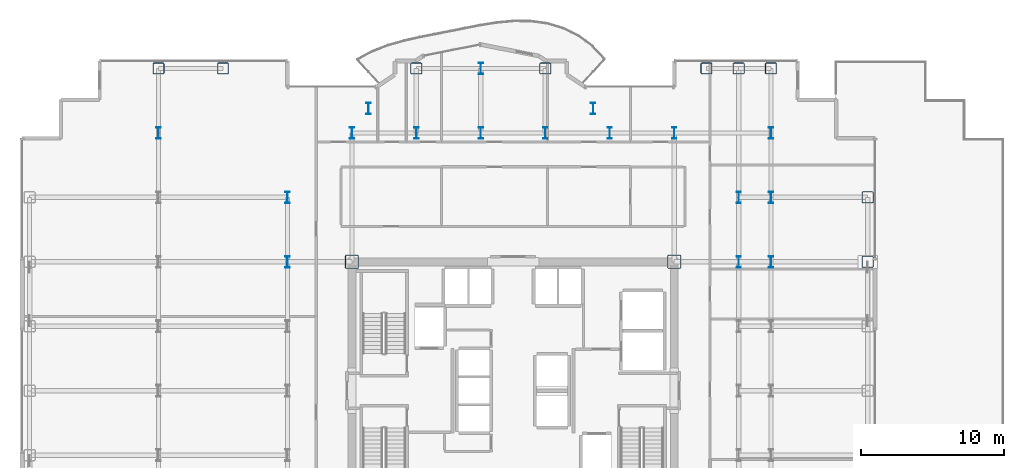
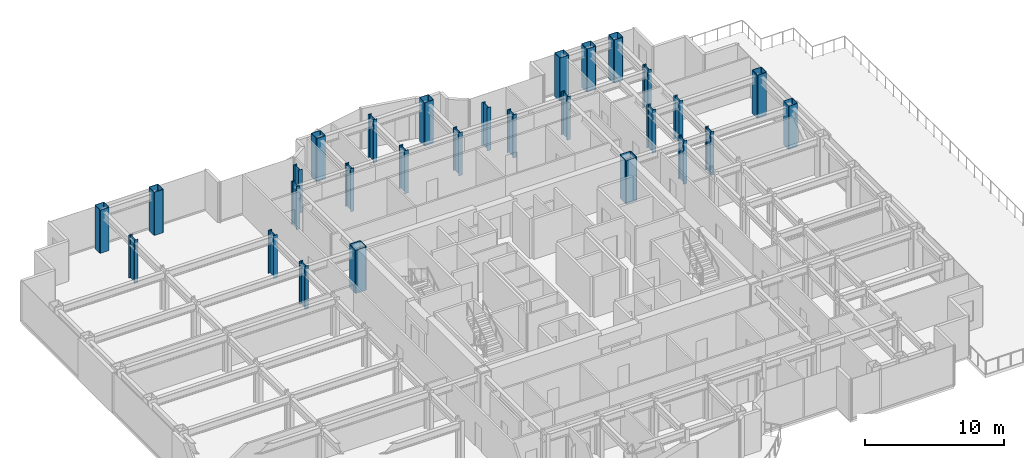
# One storey, part 2 of 27: 28 columns.
"""IFC4 building model written with IfcOpenShell, lengths in metres."""

from ifc_helpers import new_model, si_unit, direction, frame, origin, origin_2d, place, context, subcontext, project, spatial, hollow_rectangle, i_section, extrude, source, transform, mapped, material, material_profile, profile_set, type_object, element, save


model = new_model("IFC4")

# Units and contexts
model_context = context("Model", 3, precision=1e-05, world=origin(), true_north=direction((0.0, 1.0)))
body_context = subcontext(model_context, "Body", "Model", "MODEL_VIEW")
ifc_project = project(units=[si_unit("LENGTHUNIT", "METRE"), si_unit("AREAUNIT", "SQUARE_METRE"), si_unit("VOLUMEUNIT", "CUBIC_METRE"), si_unit("PLANEANGLEUNIT", "RADIAN"), si_unit("MASSUNIT", "GRAM", prefix="KILO")], contexts=[model_context])

# Site, building, storey
site_placement = place(None, origin())
site = spatial("IfcSite", under=ifc_project, at=site_placement, CompositionType="ELEMENT")
building_placement = place(site_placement, origin())
building = spatial("IfcBuilding", under=site, at=building_placement, Name="Nefas-Gora Pilgrimage Tower", CompositionType="ELEMENT")
storey_placement = place(building_placement, frame((0.0, 0.0, 148.800048828125)))
storey = spatial("IfcBuildingStorey", under=building, at=storey_placement, Name="L36", CompositionType="ELEMENT", Elevation=148.800048828125)

# Columns
ifc_material = material(Name="Steel S460", Category="steel")
ifc_material_profile_1 = material_profile(ifc_material, hollow_rectangle(XDim=0.949951171875, YDim=0.949951171875, WallThickness=0.044921875, InnerFilletRadius=0.044921875, OuterFilletRadius=0.090087890625, at=origin_2d()), Name="BOX 950x950x45")
ifc_profile_set_1 = profile_set([ifc_material_profile_1], Name="Steel S460")
column_type_1 = type_object("IfcColumnType", Name="COL-CORE-950", PredefinedType="COLUMN", material=ifc_profile_set_1)
shared_shape_1 = source(origin(), body_context, "Body", "SweptSolid", [
    extrude(hollow_rectangle(XDim=0.949951171875, YDim=0.949951171875, WallThickness=0.044921875, InnerFilletRadius=0.044921875, OuterFilletRadius=0.090087890625, at=origin_2d()), origin(), (0.0, 0.0, 1.0), 3.800048828125),
])
for number, where, z_axis, x_axis, name in (
    (1, (-11.25, 9.0, 0.0), (0.0, 0.0, 1.0), (1.0, 0.0, 0.0), "L36 Tower Column CC-Z1.30"),
    (2, (11.25, 9.0, 0.0), (0.0, 0.0, 1.0), (1.0, 0.0, 0.0), "L36 Tower Column CC-Z1.52"),
):
    element("IfcColumn", number, at=place(storey_placement, frame(where, z_axis=z_axis, x_axis=x_axis)), inside=storey, type_object=column_type_1, Name=name, PredefinedType="COLUMN", context=body_context, shape_type="MappedRepresentation", body=[
        mapped(shared_shape_1, transform((0.0, 0.0, 0.0), x_axis=(1.0, 0.0, 0.0), y_axis=(0.0, 1.0, 0.0), z_axis=(0.0, 0.0, 1.0), scale=1.0)),
    ])
ifc_material_profile_2 = material_profile(ifc_material, hollow_rectangle(XDim=0.800048828125, YDim=0.800048828125, WallThickness=0.0400390625, InnerFilletRadius=0.0400390625, OuterFilletRadius=0.080078125, at=origin_2d()), Name="BOX 800x800x40")
ifc_profile_set_2 = profile_set([ifc_material_profile_2], Name="Steel S460")
column_type_2 = type_object("IfcColumnType", Name="COL-TUBE-800", PredefinedType="COLUMN", material=ifc_profile_set_2)
shared_shape_2 = source(origin(), body_context, "Body", "SweptSolid", [
    extrude(hollow_rectangle(XDim=0.800048828125, YDim=0.800048828125, WallThickness=0.0400390625, InnerFilletRadius=0.0400390625, OuterFilletRadius=0.080078125, at=origin_2d()), origin(), (0.0, 0.0, 1.0), 3.800048828125),
])
for number, where, z_axis, x_axis, name in (
    (3, (-24.75, 22.5, 0.0), (0.0, 0.0, 1.0), (1.0, 0.0, 0.0), "L36 Tower Column C-Z2.18"),
    (4, (-20.25, 22.5, 0.0), (0.0, 0.0, 1.0), (1.0, 0.0, 0.0), "L36 Tower Column C-Z2.20"),
    (5, (-6.75, 22.5, 0.0), (0.0, 0.0, 1.0), (1.0, 0.0, 0.0), "L36 Tower Column C-Z2.37"),
    (6, (2.25, 22.5, 0.0), (0.0, 0.0, 1.0), (1.0, 0.0, 0.0), "L36 Tower Column C-Z2.45"),
    (7, (13.5, 22.5, 0.0), (0.0, 0.0, 1.0), (1.0, 0.0, 0.0), "L36 Tower Column C-Z2.55"),
    (8, (15.75, 22.5, 0.0), (0.0, 0.0, 1.0), (1.0, 0.0, 0.0), "L36 Tower Column C-Z2.64"),
    (9, (18.0, 22.5, 0.0), (0.0, 0.0, 1.0), (1.0, 0.0, 0.0), "L36 Tower Column C-Z2.75"),
    (10, (24.75, 9.0, 0.0), (0.0, 0.0, 1.0), (1.0, 0.0, 0.0), "L36 Tower Column C-Z2.81"),
    (11, (24.75, 13.5, 0.0), (0.0, 0.0, 1.0), (1.0, 0.0, 0.0), "L36 Tower Column C-Z2.82"),
):
    element("IfcColumn", number, at=place(storey_placement, frame(where, z_axis=z_axis, x_axis=x_axis)), inside=storey, type_object=column_type_2, Name=name, PredefinedType="COLUMN", context=body_context, shape_type="MappedRepresentation", body=[
        mapped(shared_shape_2, transform((0.0, 0.0, 0.0), x_axis=(1.0, 0.0, 0.0), y_axis=(0.0, 1.0, 0.0), z_axis=(0.0, 0.0, 1.0), scale=1.0)),
    ])
ifc_material_profile_3 = material_profile(ifc_material, i_section(OverallWidth=0.302978515625, OverallDepth=0.81396484375, WebThickness=0.02099609375, FlangeThickness=0.0400390625, FilletRadius=0.030029296875, at=origin_2d()), Name="HEM 800")
ifc_profile_set_3 = profile_set([ifc_material_profile_3], Name="Steel S460")
column_type_3 = type_object("IfcColumnType", Name="COL-WEB-HEM800", PredefinedType="COLUMN", material=ifc_profile_set_3)
shared_shape_3 = source(origin(), body_context, "Body", "SweptSolid", [
    extrude(i_section(OverallWidth=0.302978515625, OverallDepth=0.81396484375, WebThickness=0.02099609375, FlangeThickness=0.0400390625, FilletRadius=0.030029296875, at=origin_2d()), origin(), (0.0, 0.0, 1.0), 3.800048828125),
])
for number, where, z_axis, x_axis, name in (
    (12, (-24.75, 18.0, 0.0), (0.0, 0.0, 1.0), (1.0, 0.0, 0.0), "L36 Tower Column CW-02.17"),
    (13, (-15.75, 9.0, 0.0), (0.0, 0.0, 1.0), (1.0, 0.0, 0.0), "L36 Tower Column CW-02.26"),
    (14, (-15.75, 13.5, 0.0), (0.0, 0.0, 1.0), (1.0, 0.0, 0.0), "L36 Tower Column CW-02.27"),
    (15, (-11.25, 18.0, 0.0), (0.0, 0.0, 1.0), (1.0, 0.0, 0.0), "L36 Tower Column CW-02.31"),
    (16, (-10.091064453125, 19.696044921875, 0.0), (0.0, 0.0, 1.0), (1.0, 0.0, 0.0), "L36 Tower Column CW-02.33"),
    (17, (-6.75, 18.0, 0.0), (0.0, 0.0, 1.0), (1.0, 0.0, 0.0), "L36 Tower Column CW-02.36"),
    (18, (-2.25, 18.0, 0.0), (0.0, 0.0, 1.0), (1.0, 0.0, 0.0), "L36 Tower Column CW-02.40"),
    (19, (-2.25, 22.5, 0.0), (0.0, 0.0, 1.0), (1.0, 0.0, 0.0), "L36 Tower Column CW-02.41"),
    (20, (2.25, 18.0, 0.0), (0.0, 0.0, 1.0), (1.0, 0.0, 0.0), "L36 Tower Column CW-02.44"),
    (21, (5.591064453125, 19.696044921875, 0.0), (0.0, 0.0, 1.0), (1.0, 0.0, 0.0), "L36 Tower Column CW-02.47"),
    (22, (6.75, 18.0, 0.0), (0.0, 0.0, 1.0), (1.0, 0.0, 0.0), "L36 Tower Column CW-02.49"),
    (23, (11.25, 18.0, 0.0), (0.0, 0.0, 1.0), (1.0, 0.0, 0.0), "L36 Tower Column CW-02.53"),
    (24, (15.75, 9.0, 0.0), (0.0, 0.0, 1.0), (1.0, 0.0, 0.0), "L36 Tower Column CW-02.62"),
    (25, (15.75, 13.5, 0.0), (0.0, 0.0, 1.0), (1.0, 0.0, 0.0), "L36 Tower Column CW-02.63"),
    (26, (18.0, 9.0, 0.0), (0.0, 0.0, 1.0), (1.0, 0.0, 0.0), "L36 Tower Column CW-02.72"),
    (27, (18.0, 13.5, 0.0), (0.0, 0.0, 1.0), (1.0, 0.0, 0.0), "L36 Tower Column CW-02.73"),
    (28, (18.0, 18.0, 0.0), (0.0, 0.0, 1.0), (1.0, 0.0, 0.0), "L36 Tower Column CW-02.74"),
):
    element("IfcColumn", number, at=place(storey_placement, frame(where, z_axis=z_axis, x_axis=x_axis)), inside=storey, type_object=column_type_3, Name=name, PredefinedType="COLUMN", context=body_context, shape_type="MappedRepresentation", body=[
        mapped(shared_shape_3, transform((0.0, 0.0, 0.0), x_axis=(1.0, 0.0, 0.0), y_axis=(0.0, 1.0, 0.0), z_axis=(0.0, 0.0, 1.0), scale=1.0)),
    ])

save(model, "model.ifc")
